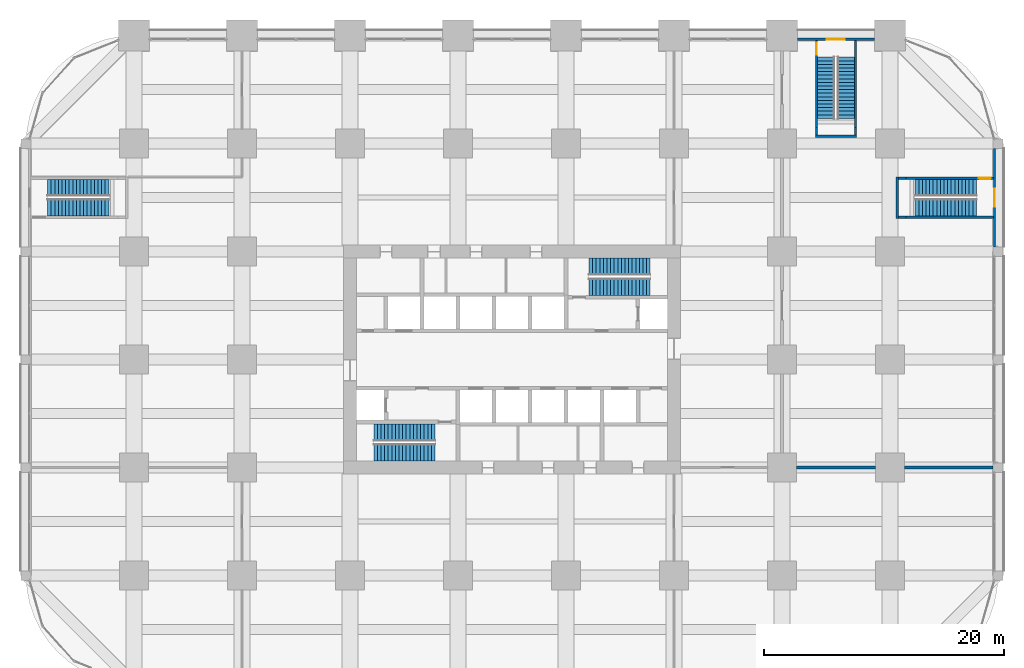
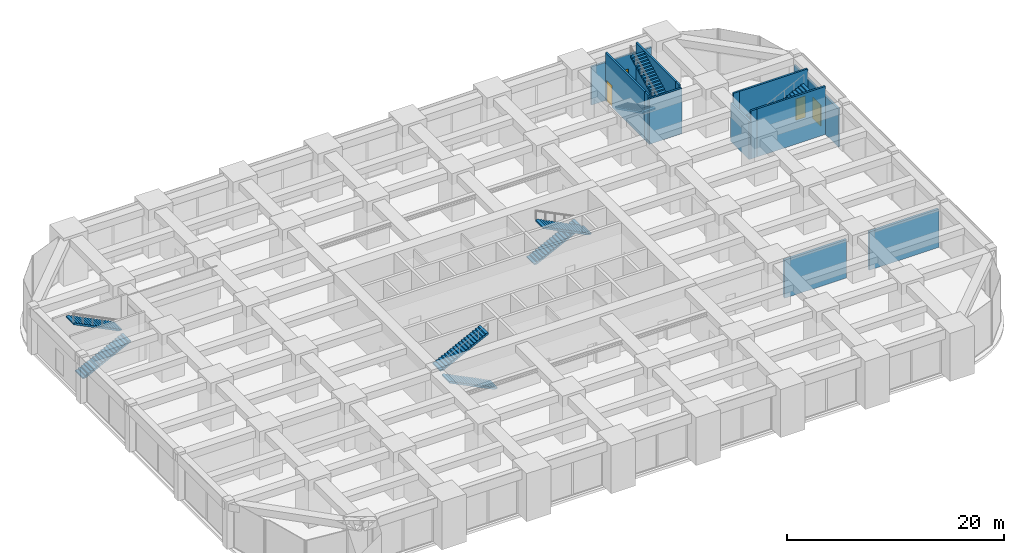
# One storey, part 44 of 45: 14 walls, 10 stair flights, 2 doors, 2 windows, 4 openings, 5 elements without a shape of their own.
"""IFC4 building model written with IfcOpenShell, lengths in metres."""

from ifc_helpers import new_model, si_unit, direction, frame, frame_2d, origin, place, context, subcontext, project, spatial, polyline, rectangle, outline, extrude, material, layer, layer_set, type_object, element, fill, aggregate, save


model = new_model("IFC4")

# Units and contexts
model_context = context("Model", 3, precision=1e-05, world=origin(), true_north=direction((0.0, 1.0)))
body_context = subcontext(model_context, "Body", "Model", "MODEL_VIEW")
ifc_project = project(units=[si_unit("LENGTHUNIT", "METRE"), si_unit("AREAUNIT", "SQUARE_METRE"), si_unit("VOLUMEUNIT", "CUBIC_METRE"), si_unit("PLANEANGLEUNIT", "RADIAN"), si_unit("MASSUNIT", "GRAM", prefix="KILO")], contexts=[model_context])

# Site, building, storey
site_placement = place(None, origin())
site = spatial("IfcSite", under=ifc_project, at=site_placement, CompositionType="ELEMENT")
building_placement = place(site_placement, origin())
building = spatial("IfcBuilding", under=site, at=building_placement, Name="Zorevar Civic Tower", CompositionType="ELEMENT")
storey_placement = place(building_placement, frame((0.0, 0.0, 5.39990234375)))
storey = spatial("IfcBuildingStorey", under=building, at=storey_placement, Name="L01", CompositionType="ELEMENT", Elevation=5.39990234375)

# Walls
ifc_material_1 = material(Name="Twin-stud acoustic wall, gypsum board")
ifc_layer_1 = layer(ifc_material_1, 0.25)
ifc_layer_set_1 = layer_set([ifc_layer_1], Name="Acoustic wall 250")
wall_type_1 = type_object("IfcWallType", Name="Acoustic wall 250", PredefinedType="PARTITIONING", material=ifc_layer_set_1)
wall_1_placement = place(storey_placement, frame((55.199951171875, 18.0, 0.0), z_axis=(0.0, 0.0, 1.0), x_axis=(1.0, 0.0, 0.0)))
element("IfcWall", 1, at=wall_1_placement, inside=storey, type_object=wall_type_1, Name="Acoustic wall 250 L01", PredefinedType="PARTITIONING", context=body_context, shape_type="SweptSolid", body=[
    extrude(rectangle(XDim=6.60009765625, YDim=0.25, at=frame_2d((3.300048828125, 0.0))), origin(), (0.0, 0.0, 1.0), 4.300048828125),
])
wall_2_placement = place(storey_placement, frame((64.199951171875, 18.0, 0.0), z_axis=(0.0, 0.0, 1.0), x_axis=(1.0, 0.0, 0.0)))
element("IfcWall", 2, at=wall_2_placement, inside=storey, type_object=wall_type_1, Name="Acoustic wall 250 L01", PredefinedType="PARTITIONING", context=body_context, shape_type="SweptSolid", body=[
    extrude(rectangle(XDim=7.400146484375, YDim=0.25, at=frame_2d((3.7001953125, 0.0))), origin(), (0.0, 0.0, 1.0), 4.300048828125),
])
ifc_material_2 = material(Name="Concrete blockwork", Category="masonry")
ifc_layer_2 = layer(ifc_material_2, 0.199951171875)
ifc_layer_set_2 = layer_set([ifc_layer_2], Name="Blockwork wall 200")
wall_type_2 = type_object("IfcWallType", Name="Blockwork wall 200", PredefinedType="SOLIDWALL", material=ifc_layer_set_2)
for number, where, z_axis, x_axis, name in (
    (3, (64.35009765625, 42.125, 0.0), (0.0, 0.0, 1.0), (-1.0, 0.0, 0.0), "Escape stair PS2 enclosure L01"),
    (4, (64.35009765625, 38.875, 0.0), (0.0, 0.0, 1.0), (-1.0, 0.0, 0.0), "Escape stair PS2 enclosure L01"),
):
    element("IfcWall", number, at=place(storey_placement, frame(where, z_axis=z_axis, x_axis=x_axis)), inside=storey, type_object=wall_type_2, Name=name, PredefinedType="SOLIDWALL", context=body_context, shape_type="SweptSolid", body=[
        extrude(rectangle(XDim=0.650146484375, YDim=0.199951171875, at=frame_2d((0.3251953125, 0.0))), origin(), (0.0, 0.0, 1.0), 5.400146484375),
    ])
wall_3_placement = place(storey_placement, frame((63.60009765625, 42.22509765625, 0.0), z_axis=(0.0, 0.0, 1.0), x_axis=(0.0, -1.0, 0.0)))
element("IfcWall", 5, at=wall_3_placement, inside=storey, type_object=wall_type_2, Name="Escape stair PS2 enclosure L01", PredefinedType="SOLIDWALL", context=body_context, shape_type="SweptSolid", body=[
    extrude(rectangle(XDim=3.4501953125, YDim=0.199951171875, at=frame_2d((1.72509765625, 0.0))), origin(), (0.0, 0.0, 1.0), 4.300048828125),
])
for number, where, z_axis, x_axis, name in (
    (6, (56.875, 46.35009765625, 0.0), (0.0, 0.0, 1.0), (0.0, -1.0, 0.0), "Escape stair PS3 enclosure L01"),
    (7, (60.125, 46.35009765625, 0.0), (0.0, 0.0, 1.0), (0.0, -1.0, 0.0), "Escape stair PS3 enclosure L01"),
):
    element("IfcWall", number, at=place(storey_placement, frame(where, z_axis=z_axis, x_axis=x_axis)), inside=storey, type_object=wall_type_2, Name=name, PredefinedType="SOLIDWALL", context=body_context, shape_type="SweptSolid", body=[
        extrude(rectangle(XDim=0.650146484375, YDim=0.199951171875, at=frame_2d((0.3251953125, 0.0))), origin(), (0.0, 0.0, 1.0), 5.400146484375),
    ])
wall_4_placement = place(storey_placement, frame((56.77490234375, 45.60009765625, 0.0), z_axis=(0.0, 0.0, 1.0), x_axis=(1.0, 0.0, 0.0)))
element("IfcWall", 8, at=wall_4_placement, inside=storey, type_object=wall_type_2, Name="Escape stair PS3 enclosure L01", PredefinedType="SOLIDWALL", context=body_context, shape_type="SweptSolid", body=[
    extrude(rectangle(XDim=3.4501953125, YDim=0.199951171875, at=frame_2d((1.72509765625, 0.0))), origin(), (0.0, 0.0, 1.0), 5.10009765625),
])

# Wall, opening, window
ifc_material_3 = material(Name="Black metal-faced insulated panel", Category="aluminium")
ifc_layer_3 = layer(ifc_material_3, 0.179931640625)
ifc_layer_set_3 = layer_set([ifc_layer_3], Name="Screen wall 180")
wall_type_3 = type_object("IfcWallType", Name="Screen wall 180", PredefinedType="SOLIDWALL", material=ifc_layer_set_3)
wall_5_placement = place(storey_placement, frame((55.300048828125, 53.699951171875, 0.0), z_axis=(0.0, 0.0, 1.0), x_axis=(1.0, 0.0, 0.0)))
wall_5 = element("IfcWall", 9, at=wall_5_placement, inside=storey, type_object=wall_type_3, Name="Screen wall L01 N54", PredefinedType="SOLIDWALL", context=body_context, shape_type="SweptSolid", body=[
    extrude(rectangle(XDim=6.39990234375, YDim=0.179931640625, at=frame_2d((3.199951171875, 0.0))), origin(), (0.0, 0.0, 1.0), 4.300048828125),
])
opening_1_placement = place(wall_5_placement, frame((2.449951171875, 0.0, 0.300048828125)))
opening_1 = element("IfcOpeningElement", 10, at=opening_1_placement, cuts=wall_5, Name="Opening WS1", PredefinedType="OPENING", context=body_context, shape_type="SweptSolid", body=[
    extrude(rectangle(XDim=1.5, YDim=2.39990234375, at=frame_2d((0.75, 1.199951171875))), frame((0.0, 0.099853515625, 0.0), z_axis=(0.0, -1.0, 0.0), x_axis=(1.0, 0.0, 0.0)), (0.0, 0.0, 1.0), 0.199951171875),
])
ifc_material_4 = material(Name="Black aluminium and dark glass", Category="aluminium")
window_type = type_object("IfcWindowType", Name="Window WS1 1500x2400", PartitioningType="SINGLE_PANEL", PredefinedType="WINDOW", material=ifc_material_4)
window_1_placement = place(opening_1_placement, origin())
window_1 = element("IfcWindow", 11, at=window_1_placement, inside=storey, type_object=window_type, Name="Stair window L01 N54", OverallHeight=2.39990234375, OverallWidth=1.5, PartitioningType="SINGLE_PANEL", PredefinedType="WINDOW", context=body_context, shape_type="SweptSolid", body=[
    extrude(rectangle(XDim=1.5, YDim=2.39990234375, at=frame_2d((0.75, 1.199951171875))), frame((0.0, 0.030029296875, 0.0), z_axis=(0.0, -1.0, 0.0), x_axis=(1.0, 0.0, 0.0)), (0.0, 0.0, 1.0), 0.06005859375),
])
fill(opening_1, window_1)

wall_6_placement = place(storey_placement, frame((71.699951171875, 36.39990234375, 0.0), z_axis=(0.0, 0.0, 1.0), x_axis=(0.0, 1.0, 0.0)))
wall_6 = element("IfcWall", 12, at=wall_6_placement, inside=storey, type_object=wall_type_3, Name="Screen wall L01 E36", PredefinedType="SOLIDWALL", context=body_context, shape_type="SweptSolid", body=[
    extrude(rectangle(XDim=8.2001953125, YDim=0.179931640625, at=frame_2d((4.10009765625, 0.0))), origin(), (0.0, 0.0, 1.0), 4.300048828125),
])
opening_2_placement = place(wall_6_placement, frame((3.35009765625, 0.0, 0.300048828125)))
opening_2 = element("IfcOpeningElement", 13, at=opening_2_placement, cuts=wall_6, Name="Opening WS1", PredefinedType="OPENING", context=body_context, shape_type="SweptSolid", body=[
    extrude(rectangle(XDim=1.5, YDim=2.39990234375, at=frame_2d((0.75, 1.199951171875))), frame((0.0, 0.099853515625, 0.0), z_axis=(0.0, -1.0, 0.0), x_axis=(1.0, 0.0, 0.0)), (0.0, 0.0, 1.0), 0.199951171875),
])
window_2_placement = place(opening_2_placement, origin())
window_2 = element("IfcWindow", 14, at=window_2_placement, inside=storey, type_object=window_type, Name="Stair window L01 E36", OverallHeight=2.39990234375, OverallWidth=1.5, PartitioningType="SINGLE_PANEL", PredefinedType="WINDOW", context=body_context, shape_type="SweptSolid", body=[
    extrude(rectangle(XDim=1.5, YDim=2.39990234375, at=frame_2d((0.75, 1.199951171875))), frame((0.0, 0.030029296875, 0.0), z_axis=(0.0, -1.0, 0.0), x_axis=(1.0, 0.0, 0.0)), (0.0, 0.0, 1.0), 0.06005859375),
])
fill(opening_2, window_2)

# Wall, opening, door
ifc_material_5 = material(Name="Concrete C30/37", Category="concrete")
ifc_layer_4 = layer(ifc_material_5, 0.199951171875)
ifc_layer_set_4 = layer_set([ifc_layer_4], Name="Stair enclosure wall 200")
wall_type_4 = type_object("IfcWallType", Name="Stair enclosure wall 200", PredefinedType="SOLIDWALL", material=ifc_layer_set_4)
wall_7_placement = place(storey_placement, frame((71.610107421875, 42.125, 0.0), z_axis=(0.0, 0.0, 1.0), x_axis=(-1.0, 0.0, 0.0)))
wall_7 = element("IfcWall", 15, at=wall_7_placement, inside=storey, type_object=wall_type_4, Name="Escape stair PS2 enclosure L01", PredefinedType="SOLIDWALL", context=body_context, shape_type="SweptSolid", body=[
    extrude(rectangle(XDim=7.260009765625, YDim=0.199951171875, at=frame_2d((3.6298828125, 0.0))), origin(), (0.0, 0.0, 1.0), 5.400146484375),
])
opening_3_placement = place(wall_7_placement, frame((0.2099609375, 0.0, 0.0)))
opening_3 = element("IfcOpeningElement", 16, at=opening_3_placement, cuts=wall_7, Name="Opening L01.82", PredefinedType="OPENING", context=body_context, shape_type="SweptSolid", body=[
    extrude(rectangle(XDim=1.0, YDim=2.39990234375, at=frame_2d((0.5, 1.199951171875))), frame((0.0, 0.10986328125, 0.0), z_axis=(0.0, -1.0, 0.0), x_axis=(1.0, 0.0, 0.0)), (0.0, 0.0, 1.0), 0.219970703125),
])
ifc_material_6 = material(Name="Steel door set", Category="steel")
door_type = type_object("IfcDoorType", Name="Fire door FD1 1000x2400", OperationType="SINGLE_SWING_LEFT", PredefinedType="DOOR", material=ifc_material_6)
door_1_placement = place(opening_3_placement, origin())
door_1 = element("IfcDoor", 17, at=door_1_placement, inside=storey, type_object=door_type, Name="Escape stair PS2 door L01", OperationType="SINGLE_SWING_RIGHT", OverallHeight=2.39990234375, OverallWidth=1.0, PredefinedType="DOOR", context=body_context, shape_type="SweptSolid", body=[
    extrude(rectangle(XDim=1.0, YDim=2.39990234375, at=frame_2d((0.5, 1.199951171875))), frame((0.0, 0.030029296875, 0.0), z_axis=(0.0, -1.0, 0.0), x_axis=(1.0, 0.0, 0.0)), (0.0, 0.0, 1.0), 0.06005859375),
])
fill(opening_3, door_1)

# Wall
wall_8_placement = place(storey_placement, frame((71.610107421875, 38.875, 0.0), z_axis=(0.0, 0.0, 1.0), x_axis=(-1.0, 0.0, 0.0)))
element("IfcWall", 18, at=wall_8_placement, inside=storey, type_object=wall_type_4, Name="Escape stair PS2 enclosure L01", PredefinedType="SOLIDWALL", context=body_context, shape_type="SweptSolid", body=[
    extrude(rectangle(XDim=7.260009765625, YDim=0.199951171875, at=frame_2d((3.6298828125, 0.0))), origin(), (0.0, 0.0, 1.0), 5.400146484375),
])

# Wall, opening, door
wall_9_placement = place(storey_placement, frame((56.875, 53.610107421875, 0.0), z_axis=(0.0, 0.0, 1.0), x_axis=(0.0, -1.0, 0.0)))
wall_9 = element("IfcWall", 19, at=wall_9_placement, inside=storey, type_object=wall_type_4, Name="Escape stair PS3 enclosure L01", PredefinedType="SOLIDWALL", context=body_context, shape_type="SweptSolid", body=[
    extrude(rectangle(XDim=7.260009765625, YDim=0.199951171875, at=frame_2d((3.6298828125, 0.0))), origin(), (0.0, 0.0, 1.0), 5.400146484375),
])
opening_4_placement = place(wall_9_placement, frame((0.2099609375, 0.0, 0.0)))
opening_4 = element("IfcOpeningElement", 20, at=opening_4_placement, cuts=wall_9, Name="Opening L01.83", PredefinedType="OPENING", context=body_context, shape_type="SweptSolid", body=[
    extrude(rectangle(XDim=1.0, YDim=2.39990234375, at=frame_2d((0.5, 1.199951171875))), frame((0.0, 0.10986328125, 0.0), z_axis=(0.0, -1.0, 0.0), x_axis=(1.0, 0.0, 0.0)), (0.0, 0.0, 1.0), 0.219970703125),
])
door_2_placement = place(opening_4_placement, origin())
door_2 = element("IfcDoor", 21, at=door_2_placement, inside=storey, type_object=door_type, Name="Escape stair PS3 door L01", OperationType="SINGLE_SWING_RIGHT", OverallHeight=2.39990234375, OverallWidth=1.0, PredefinedType="DOOR", context=body_context, shape_type="SweptSolid", body=[
    extrude(rectangle(XDim=1.0, YDim=2.39990234375, at=frame_2d((0.5, 1.199951171875))), frame((0.0, 0.030029296875, 0.0), z_axis=(0.0, -1.0, 0.0), x_axis=(1.0, 0.0, 0.0)), (0.0, 0.0, 1.0), 0.06005859375),
])
fill(opening_4, door_2)

# Wall
wall_10_placement = place(storey_placement, frame((60.125, 53.610107421875, 0.0), z_axis=(0.0, 0.0, 1.0), x_axis=(0.0, -1.0, 0.0)))
element("IfcWall", 22, at=wall_10_placement, inside=storey, type_object=wall_type_4, Name="Escape stair PS3 enclosure L01", PredefinedType="SOLIDWALL", context=body_context, shape_type="SweptSolid", body=[
    extrude(rectangle(XDim=7.260009765625, YDim=0.199951171875, at=frame_2d((3.6298828125, 0.0))), origin(), (0.0, 0.0, 1.0), 5.400146484375),
])

# Stair, stair flights
ifc_material_7 = material(Name="Precast concrete C40/50", Category="concrete")
stair_type_1 = type_object("IfcStairType", Name="Escape stair PS 36R", PredefinedType="HALF_TURN_STAIR", material=ifc_material_7)
stair_1_placement = place(storey_placement, origin())
stair_1 = element("IfcStair", 23, at=stair_1_placement, inside=storey, type_object=stair_type_1, Name="Escape stair PS1 L01", PredefinedType="HALF_TURN_STAIR")
ifc_material_8 = material(Name="Precast concrete C40/50", Category="concrete")
stair_flight_type_1 = type_object("IfcStairFlightType", Name="Escape stair flight", PredefinedType="STRAIGHT", material=ifc_material_8)
stair_flight_1_placement = place(storey_placement, frame((-7.199951171875, 39.675048828125, 0.0), z_axis=(0.0, 0.0, 1.0), x_axis=(1.0, 0.0, 0.0)))
stair_flight_1 = element("IfcStairFlight", 24, at=stair_flight_1_placement, type_object=stair_flight_type_1, Name="PS1 flight 1", NumberOfRisers=18, NumberOfTreads=17, PredefinedType="STRAIGHT", RiserHeight=0.15, TreadLength=0.3, context=body_context, shape_type="SweptSolid", body=[
    extrude(outline(polyline([(0.0, 0.0), (0.0, 0.14990234375), (0.300048828125, 0.14990234375), (0.300048828125, 0.300048828125), (0.60009765625, 0.300048828125), (0.60009765625, 0.449951171875), (0.89990234375, 0.449951171875), (0.89990234375, 0.60009765625), (1.199951171875, 0.60009765625), (1.199951171875, 0.75), (1.5, 0.75), (1.5, 0.89990234375), (1.800048828125, 0.89990234375), (1.800048828125, 1.050048828125), (2.10009765625, 1.050048828125), (2.10009765625, 1.199951171875), (2.39990234375, 1.199951171875), (2.39990234375, 1.35009765625), (2.699951171875, 1.35009765625), (2.699951171875, 1.5), (3.0, 1.5), (3.0, 1.64990234375), (3.300048828125, 1.64990234375), (3.300048828125, 1.800048828125), (3.60009765625, 1.800048828125), (3.60009765625, 1.949951171875), (3.89990234375, 1.949951171875), (3.89990234375, 2.10009765625), (4.199951171875, 2.10009765625), (4.199951171875, 2.25), (4.5, 2.25), (4.5, 2.39990234375), (4.800048828125, 2.39990234375), (4.800048828125, 2.550048828125), (5.10009765625, 2.550048828125), (5.10009765625, 2.699951171875), (5.10009765625, 2.38232421875), (0.335205078125, 0.0), (0.0, 0.0)])), frame((0.0, 0.699951171875, 0.0), z_axis=(0.0, -1.0, 0.0), x_axis=(1.0, 0.0, 0.0)), (0.0, 0.0, 1.0), 1.39990234375),
])
stair_flight_2_placement = place(storey_placement, frame((-2.10009765625, 41.324951171875, 2.7001953125), z_axis=(0.0, 0.0, 1.0), x_axis=(-1.0, 0.0, 0.0)))
stair_flight_2 = element("IfcStairFlight", 25, at=stair_flight_2_placement, type_object=stair_flight_type_1, Name="PS1 flight 2", NumberOfRisers=18, NumberOfTreads=17, PredefinedType="STRAIGHT", RiserHeight=0.15, TreadLength=0.3, context=body_context, shape_type="SweptSolid", body=[
    extrude(outline(polyline([(0.0, 0.0), (0.0, 0.14990234375), (0.300048828125, 0.14990234375), (0.300048828125, 0.300048828125), (0.60009765625, 0.300048828125), (0.60009765625, 0.449951171875), (0.89990234375, 0.449951171875), (0.89990234375, 0.60009765625), (1.199951171875, 0.60009765625), (1.199951171875, 0.75), (1.5, 0.75), (1.5, 0.89990234375), (1.800048828125, 0.89990234375), (1.800048828125, 1.050048828125), (2.10009765625, 1.050048828125), (2.10009765625, 1.199951171875), (2.39990234375, 1.199951171875), (2.39990234375, 1.35009765625), (2.699951171875, 1.35009765625), (2.699951171875, 1.5), (3.0, 1.5), (3.0, 1.64990234375), (3.300048828125, 1.64990234375), (3.300048828125, 1.800048828125), (3.60009765625, 1.800048828125), (3.60009765625, 1.949951171875), (3.89990234375, 1.949951171875), (3.89990234375, 2.10009765625), (4.199951171875, 2.10009765625), (4.199951171875, 2.25), (4.5, 2.25), (4.5, 2.39990234375), (4.800048828125, 2.39990234375), (4.800048828125, 2.550048828125), (5.10009765625, 2.550048828125), (5.10009765625, 2.699951171875), (5.10009765625, 2.38232421875), (0.335205078125, 0.0), (0.0, 0.0)])), frame((0.0, 0.699951171875, 0.0), z_axis=(0.0, -1.0, 0.0), x_axis=(1.0, 0.0, 0.0)), (0.0, 0.0, 1.0), 1.39990234375),
])
aggregate(stair_1, [stair_flight_1, stair_flight_2])

stair_2_placement = place(storey_placement, origin())
stair_2 = element("IfcStair", 26, at=stair_2_placement, inside=storey, type_object=stair_type_1, Name="Escape stair PS2 L01", PredefinedType="HALF_TURN_STAIR")
stair_flight_3_placement = place(storey_placement, frame((70.199951171875, 41.324951171875, 0.0), z_axis=(0.0, 0.0, 1.0), x_axis=(-1.0, 0.0, 0.0)))
stair_flight_3 = element("IfcStairFlight", 27, at=stair_flight_3_placement, type_object=stair_flight_type_1, Name="PS2 flight 1", NumberOfRisers=18, NumberOfTreads=17, PredefinedType="STRAIGHT", RiserHeight=0.15, TreadLength=0.3, context=body_context, shape_type="SweptSolid", body=[
    extrude(outline(polyline([(0.0, 0.0), (0.0, 0.14990234375), (0.300048828125, 0.14990234375), (0.300048828125, 0.300048828125), (0.60009765625, 0.300048828125), (0.60009765625, 0.449951171875), (0.89990234375, 0.449951171875), (0.89990234375, 0.60009765625), (1.199951171875, 0.60009765625), (1.199951171875, 0.75), (1.5, 0.75), (1.5, 0.89990234375), (1.800048828125, 0.89990234375), (1.800048828125, 1.050048828125), (2.10009765625, 1.050048828125), (2.10009765625, 1.199951171875), (2.39990234375, 1.199951171875), (2.39990234375, 1.35009765625), (2.699951171875, 1.35009765625), (2.699951171875, 1.5), (3.0, 1.5), (3.0, 1.64990234375), (3.300048828125, 1.64990234375), (3.300048828125, 1.800048828125), (3.60009765625, 1.800048828125), (3.60009765625, 1.949951171875), (3.89990234375, 1.949951171875), (3.89990234375, 2.10009765625), (4.199951171875, 2.10009765625), (4.199951171875, 2.25), (4.5, 2.25), (4.5, 2.39990234375), (4.800048828125, 2.39990234375), (4.800048828125, 2.550048828125), (5.10009765625, 2.550048828125), (5.10009765625, 2.699951171875), (5.10009765625, 2.38232421875), (0.335205078125, 0.0), (0.0, 0.0)])), frame((0.0, 0.699951171875, 0.0), z_axis=(0.0, -1.0, 0.0), x_axis=(1.0, 0.0, 0.0)), (0.0, 0.0, 1.0), 1.39990234375),
])
stair_flight_4_placement = place(storey_placement, frame((65.10009765625, 39.675048828125, 2.7001953125), z_axis=(0.0, 0.0, 1.0), x_axis=(1.0, 0.0, 0.0)))
stair_flight_4 = element("IfcStairFlight", 28, at=stair_flight_4_placement, type_object=stair_flight_type_1, Name="PS2 flight 2", NumberOfRisers=18, NumberOfTreads=17, PredefinedType="STRAIGHT", RiserHeight=0.15, TreadLength=0.3, context=body_context, shape_type="SweptSolid", body=[
    extrude(outline(polyline([(0.0, 0.0), (0.0, 0.14990234375), (0.300048828125, 0.14990234375), (0.300048828125, 0.300048828125), (0.60009765625, 0.300048828125), (0.60009765625, 0.449951171875), (0.89990234375, 0.449951171875), (0.89990234375, 0.60009765625), (1.199951171875, 0.60009765625), (1.199951171875, 0.75), (1.5, 0.75), (1.5, 0.89990234375), (1.800048828125, 0.89990234375), (1.800048828125, 1.050048828125), (2.10009765625, 1.050048828125), (2.10009765625, 1.199951171875), (2.39990234375, 1.199951171875), (2.39990234375, 1.35009765625), (2.699951171875, 1.35009765625), (2.699951171875, 1.5), (3.0, 1.5), (3.0, 1.64990234375), (3.300048828125, 1.64990234375), (3.300048828125, 1.800048828125), (3.60009765625, 1.800048828125), (3.60009765625, 1.949951171875), (3.89990234375, 1.949951171875), (3.89990234375, 2.10009765625), (4.199951171875, 2.10009765625), (4.199951171875, 2.25), (4.5, 2.25), (4.5, 2.39990234375), (4.800048828125, 2.39990234375), (4.800048828125, 2.550048828125), (5.10009765625, 2.550048828125), (5.10009765625, 2.699951171875), (5.10009765625, 2.38232421875), (0.335205078125, 0.0), (0.0, 0.0)])), frame((0.0, 0.699951171875, 0.0), z_axis=(0.0, -1.0, 0.0), x_axis=(1.0, 0.0, 0.0)), (0.0, 0.0, 1.0), 1.39990234375),
])
aggregate(stair_2, [stair_flight_3, stair_flight_4])

stair_3_placement = place(storey_placement, origin())
stair_3 = element("IfcStair", 29, at=stair_3_placement, inside=storey, type_object=stair_type_1, Name="Escape stair PS3 L01", PredefinedType="HALF_TURN_STAIR")
stair_flight_5_placement = place(storey_placement, frame((57.675048828125, 52.199951171875, 0.0), z_axis=(0.0, 0.0, 1.0), x_axis=(0.0, -1.0, 0.0)))
stair_flight_5 = element("IfcStairFlight", 30, at=stair_flight_5_placement, type_object=stair_flight_type_1, Name="PS3 flight 1", NumberOfRisers=18, NumberOfTreads=17, PredefinedType="STRAIGHT", RiserHeight=0.15, TreadLength=0.3, context=body_context, shape_type="SweptSolid", body=[
    extrude(outline(polyline([(0.0, 0.0), (0.0, 0.14990234375), (0.300048828125, 0.14990234375), (0.300048828125, 0.300048828125), (0.60009765625, 0.300048828125), (0.60009765625, 0.449951171875), (0.89990234375, 0.449951171875), (0.89990234375, 0.60009765625), (1.199951171875, 0.60009765625), (1.199951171875, 0.75), (1.5, 0.75), (1.5, 0.89990234375), (1.800048828125, 0.89990234375), (1.800048828125, 1.050048828125), (2.10009765625, 1.050048828125), (2.10009765625, 1.199951171875), (2.39990234375, 1.199951171875), (2.39990234375, 1.35009765625), (2.699951171875, 1.35009765625), (2.699951171875, 1.5), (3.0, 1.5), (3.0, 1.64990234375), (3.300048828125, 1.64990234375), (3.300048828125, 1.800048828125), (3.60009765625, 1.800048828125), (3.60009765625, 1.949951171875), (3.89990234375, 1.949951171875), (3.89990234375, 2.10009765625), (4.199951171875, 2.10009765625), (4.199951171875, 2.25), (4.5, 2.25), (4.5, 2.39990234375), (4.800048828125, 2.39990234375), (4.800048828125, 2.550048828125), (5.10009765625, 2.550048828125), (5.10009765625, 2.699951171875), (5.10009765625, 2.38232421875), (0.335205078125, 0.0), (0.0, 0.0)])), frame((0.0, 0.699951171875, 0.0), z_axis=(0.0, -1.0, 0.0), x_axis=(1.0, 0.0, 0.0)), (0.0, 0.0, 1.0), 1.39990234375),
])
stair_flight_6_placement = place(storey_placement, frame((59.324951171875, 47.10009765625, 2.7001953125), z_axis=(0.0, 0.0, 1.0), x_axis=(0.0, 1.0, 0.0)))
stair_flight_6 = element("IfcStairFlight", 31, at=stair_flight_6_placement, type_object=stair_flight_type_1, Name="PS3 flight 2", NumberOfRisers=18, NumberOfTreads=17, PredefinedType="STRAIGHT", RiserHeight=0.15, TreadLength=0.3, context=body_context, shape_type="SweptSolid", body=[
    extrude(outline(polyline([(0.0, 0.0), (0.0, 0.14990234375), (0.300048828125, 0.14990234375), (0.300048828125, 0.300048828125), (0.60009765625, 0.300048828125), (0.60009765625, 0.449951171875), (0.89990234375, 0.449951171875), (0.89990234375, 0.60009765625), (1.199951171875, 0.60009765625), (1.199951171875, 0.75), (1.5, 0.75), (1.5, 0.89990234375), (1.800048828125, 0.89990234375), (1.800048828125, 1.050048828125), (2.10009765625, 1.050048828125), (2.10009765625, 1.199951171875), (2.39990234375, 1.199951171875), (2.39990234375, 1.35009765625), (2.699951171875, 1.35009765625), (2.699951171875, 1.5), (3.0, 1.5), (3.0, 1.64990234375), (3.300048828125, 1.64990234375), (3.300048828125, 1.800048828125), (3.60009765625, 1.800048828125), (3.60009765625, 1.949951171875), (3.89990234375, 1.949951171875), (3.89990234375, 2.10009765625), (4.199951171875, 2.10009765625), (4.199951171875, 2.25), (4.5, 2.25), (4.5, 2.39990234375), (4.800048828125, 2.39990234375), (4.800048828125, 2.550048828125), (5.10009765625, 2.550048828125), (5.10009765625, 2.699951171875), (5.10009765625, 2.38232421875), (0.335205078125, 0.0), (0.0, 0.0)])), frame((0.0, 0.699951171875, 0.0), z_axis=(0.0, -1.0, 0.0), x_axis=(1.0, 0.0, 0.0)), (0.0, 0.0, 1.0), 1.39990234375),
])
aggregate(stair_3, [stair_flight_5, stair_flight_6])

ifc_material_9 = material(Name="Precast concrete C40/50", Category="concrete")
stair_type_2 = type_object("IfcStairType", Name="Stair ST 36R", PredefinedType="HALF_TURN_STAIR", material=ifc_material_9)
stair_4_placement = place(storey_placement, origin())
stair_4 = element("IfcStair", 32, at=stair_4_placement, inside=storey, type_object=stair_type_2, Name="Stair ST1 L01", PredefinedType="HALF_TURN_STAIR")
ifc_material_10 = material(Name="Precast concrete C40/50", Category="concrete")
stair_flight_type_2 = type_object("IfcStairFlightType", Name="Stair flight", PredefinedType="STRAIGHT", material=ifc_material_10)
stair_flight_7_placement = place(storey_placement, frame((25.080078125, 19.262451171875, 0.0), z_axis=(0.0, 0.0, 1.0), x_axis=(-1.0, 0.0, 0.0)))
stair_flight_7 = element("IfcStairFlight", 33, at=stair_flight_7_placement, type_object=stair_flight_type_2, Name="ST1 flight 1", NumberOfRisers=18, NumberOfTreads=17, PredefinedType="STRAIGHT", RiserHeight=0.15, TreadLength=0.3, context=body_context, shape_type="SweptSolid", body=[
    extrude(outline(polyline([(0.0, 0.0), (0.0, 0.14990234375), (0.300048828125, 0.14990234375), (0.300048828125, 0.300048828125), (0.60009765625, 0.300048828125), (0.60009765625, 0.449951171875), (0.89990234375, 0.449951171875), (0.89990234375, 0.60009765625), (1.199951171875, 0.60009765625), (1.199951171875, 0.75), (1.5, 0.75), (1.5, 0.89990234375), (1.800048828125, 0.89990234375), (1.800048828125, 1.050048828125), (2.10009765625, 1.050048828125), (2.10009765625, 1.199951171875), (2.39990234375, 1.199951171875), (2.39990234375, 1.35009765625), (2.699951171875, 1.35009765625), (2.699951171875, 1.5), (3.0, 1.5), (3.0, 1.64990234375), (3.300048828125, 1.64990234375), (3.300048828125, 1.800048828125), (3.60009765625, 1.800048828125), (3.60009765625, 1.949951171875), (3.89990234375, 1.949951171875), (3.89990234375, 2.10009765625), (4.199951171875, 2.10009765625), (4.199951171875, 2.25), (4.5, 2.25), (4.5, 2.39990234375), (4.800048828125, 2.39990234375), (4.800048828125, 2.550048828125), (5.10009765625, 2.550048828125), (5.10009765625, 2.699951171875), (5.10009765625, 2.38232421875), (0.335205078125, 0.0), (0.0, 0.0)])), frame((0.0, 0.71240234375, 0.0), z_axis=(0.0, -1.0, 0.0), x_axis=(1.0, 0.0, 0.0)), (0.0, 0.0, 1.0), 1.425048828125),
])
stair_flight_8_placement = place(storey_placement, frame((19.97998046875, 20.9375, 2.7001953125), z_axis=(0.0, 0.0, 1.0), x_axis=(1.0, 0.0, 0.0)))
stair_flight_8 = element("IfcStairFlight", 34, at=stair_flight_8_placement, type_object=stair_flight_type_2, Name="ST1 flight 2", NumberOfRisers=18, NumberOfTreads=17, PredefinedType="STRAIGHT", RiserHeight=0.15, TreadLength=0.3, context=body_context, shape_type="SweptSolid", body=[
    extrude(outline(polyline([(0.0, 0.0), (0.0, 0.14990234375), (0.300048828125, 0.14990234375), (0.300048828125, 0.300048828125), (0.60009765625, 0.300048828125), (0.60009765625, 0.449951171875), (0.89990234375, 0.449951171875), (0.89990234375, 0.60009765625), (1.199951171875, 0.60009765625), (1.199951171875, 0.75), (1.5, 0.75), (1.5, 0.89990234375), (1.800048828125, 0.89990234375), (1.800048828125, 1.050048828125), (2.10009765625, 1.050048828125), (2.10009765625, 1.199951171875), (2.39990234375, 1.199951171875), (2.39990234375, 1.35009765625), (2.699951171875, 1.35009765625), (2.699951171875, 1.5), (3.0, 1.5), (3.0, 1.64990234375), (3.300048828125, 1.64990234375), (3.300048828125, 1.800048828125), (3.60009765625, 1.800048828125), (3.60009765625, 1.949951171875), (3.89990234375, 1.949951171875), (3.89990234375, 2.10009765625), (4.199951171875, 2.10009765625), (4.199951171875, 2.25), (4.5, 2.25), (4.5, 2.39990234375), (4.800048828125, 2.39990234375), (4.800048828125, 2.550048828125), (5.10009765625, 2.550048828125), (5.10009765625, 2.699951171875), (5.10009765625, 2.38232421875), (0.335205078125, 0.0), (0.0, 0.0)])), frame((0.0, 0.71240234375, 0.0), z_axis=(0.0, -1.0, 0.0), x_axis=(1.0, 0.0, 0.0)), (0.0, 0.0, 1.0), 1.425048828125),
])
aggregate(stair_4, [stair_flight_7, stair_flight_8])

stair_5_placement = place(storey_placement, origin())
stair_5 = element("IfcStair", 35, at=stair_5_placement, inside=storey, type_object=stair_type_2, Name="Stair ST2 L01", PredefinedType="HALF_TURN_STAIR")
stair_flight_9_placement = place(storey_placement, frame((37.919921875, 34.737548828125, 0.0), z_axis=(0.0, 0.0, 1.0), x_axis=(1.0, 0.0, 0.0)))
stair_flight_9 = element("IfcStairFlight", 36, at=stair_flight_9_placement, type_object=stair_flight_type_2, Name="ST2 flight 1", NumberOfRisers=18, NumberOfTreads=17, PredefinedType="STRAIGHT", RiserHeight=0.15, TreadLength=0.3, context=body_context, shape_type="SweptSolid", body=[
    extrude(outline(polyline([(0.0, 0.0), (0.0, 0.14990234375), (0.300048828125, 0.14990234375), (0.300048828125, 0.300048828125), (0.60009765625, 0.300048828125), (0.60009765625, 0.449951171875), (0.89990234375, 0.449951171875), (0.89990234375, 0.60009765625), (1.199951171875, 0.60009765625), (1.199951171875, 0.75), (1.5, 0.75), (1.5, 0.89990234375), (1.800048828125, 0.89990234375), (1.800048828125, 1.050048828125), (2.10009765625, 1.050048828125), (2.10009765625, 1.199951171875), (2.39990234375, 1.199951171875), (2.39990234375, 1.35009765625), (2.699951171875, 1.35009765625), (2.699951171875, 1.5), (3.0, 1.5), (3.0, 1.64990234375), (3.300048828125, 1.64990234375), (3.300048828125, 1.800048828125), (3.60009765625, 1.800048828125), (3.60009765625, 1.949951171875), (3.89990234375, 1.949951171875), (3.89990234375, 2.10009765625), (4.199951171875, 2.10009765625), (4.199951171875, 2.25), (4.5, 2.25), (4.5, 2.39990234375), (4.800048828125, 2.39990234375), (4.800048828125, 2.550048828125), (5.10009765625, 2.550048828125), (5.10009765625, 2.699951171875), (5.10009765625, 2.38232421875), (0.335205078125, 0.0), (0.0, 0.0)])), frame((0.0, 0.71240234375, 0.0), z_axis=(0.0, -1.0, 0.0), x_axis=(1.0, 0.0, 0.0)), (0.0, 0.0, 1.0), 1.425048828125),
])
stair_flight_10_placement = place(storey_placement, frame((43.02001953125, 33.0625, 2.7001953125), z_axis=(0.0, 0.0, 1.0), x_axis=(-1.0, 0.0, 0.0)))
stair_flight_10 = element("IfcStairFlight", 37, at=stair_flight_10_placement, type_object=stair_flight_type_2, Name="ST2 flight 2", NumberOfRisers=18, NumberOfTreads=17, PredefinedType="STRAIGHT", RiserHeight=0.15, TreadLength=0.3, context=body_context, shape_type="SweptSolid", body=[
    extrude(outline(polyline([(0.0, 0.0), (0.0, 0.14990234375), (0.300048828125, 0.14990234375), (0.300048828125, 0.300048828125), (0.60009765625, 0.300048828125), (0.60009765625, 0.449951171875), (0.89990234375, 0.449951171875), (0.89990234375, 0.60009765625), (1.199951171875, 0.60009765625), (1.199951171875, 0.75), (1.5, 0.75), (1.5, 0.89990234375), (1.800048828125, 0.89990234375), (1.800048828125, 1.050048828125), (2.10009765625, 1.050048828125), (2.10009765625, 1.199951171875), (2.39990234375, 1.199951171875), (2.39990234375, 1.35009765625), (2.699951171875, 1.35009765625), (2.699951171875, 1.5), (3.0, 1.5), (3.0, 1.64990234375), (3.300048828125, 1.64990234375), (3.300048828125, 1.800048828125), (3.60009765625, 1.800048828125), (3.60009765625, 1.949951171875), (3.89990234375, 1.949951171875), (3.89990234375, 2.10009765625), (4.199951171875, 2.10009765625), (4.199951171875, 2.25), (4.5, 2.25), (4.5, 2.39990234375), (4.800048828125, 2.39990234375), (4.800048828125, 2.550048828125), (5.10009765625, 2.550048828125), (5.10009765625, 2.699951171875), (5.10009765625, 2.38232421875), (0.335205078125, 0.0), (0.0, 0.0)])), frame((0.0, 0.71240234375, 0.0), z_axis=(0.0, -1.0, 0.0), x_axis=(1.0, 0.0, 0.0)), (0.0, 0.0, 1.0), 1.425048828125),
])
aggregate(stair_5, [stair_flight_9, stair_flight_10])

save(model, "model.ifc")
